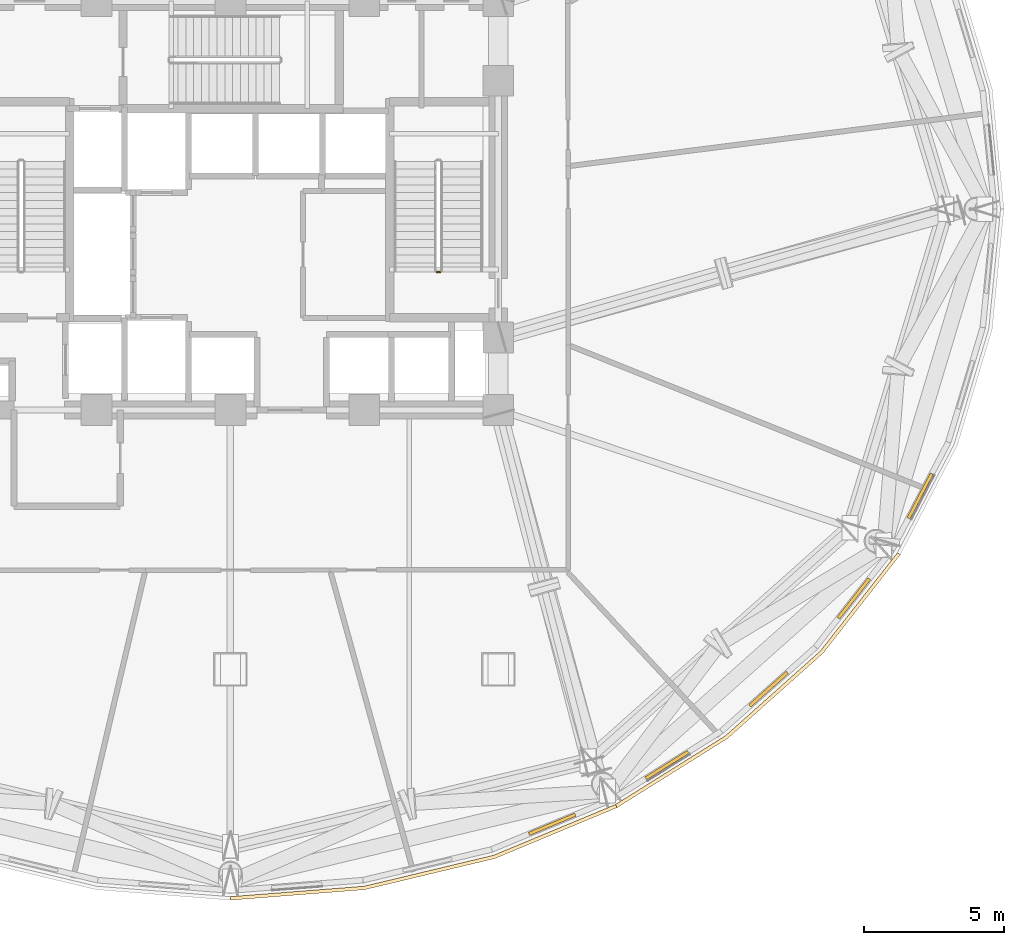
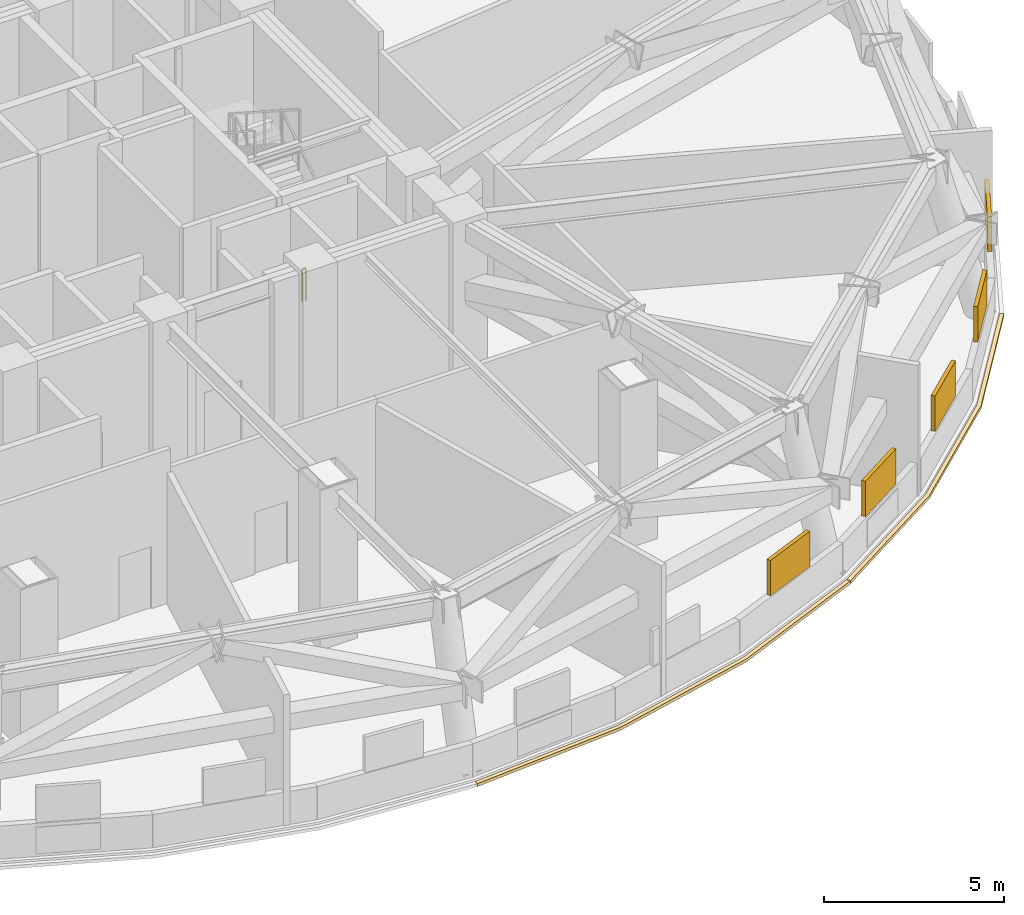
# One storey, part 12 of 14: 5 shading devices, 2 coverings, 1 railing.
"""IFC4 building model written with IfcOpenShell, lengths in metres."""

import ifcopenshell
import ifcopenshell.guid

model = None  # the IFC model being written
_history = None  # IfcOwnerHistory: only IFC2X3 demands one
_inside = {}  # id of a spatial element -> (the spatial element, [elements in it])
_under = {}  # id of a project, library or spatial element -> (it, [spatial elements below it])
_declared = {}  # id of a project -> (the project, [libraries it declares])
_typed = {}  # id of a type object -> (the type object, [elements of that type])
_made_of = {}  # id of a material, layer set ... -> (it, [elements and type objects made of it])


def new_model(schema):
    """Start an empty IFC model of exactly this schema.

    Asked for "IFC4X3", IfcOpenShell would pick the latest addendum, in which some entities
    have other attributes; the version numbers below select the first issue.
    IFC2X3 requires an IfcOwnerHistory on every rooted entity: one is made here for all.
    """
    global model, _history
    if schema == "IFC4X3":
        model = ifcopenshell.file(schema_version=(4, 3, 0, 0))
    else:
        model = ifcopenshell.file(schema=schema)
    _inside.clear()
    _under.clear()
    _declared.clear()
    _typed.clear()
    _made_of.clear()
    _history = None
    if model.schema == "IFC2X3":
        org = make("IfcOrganization", Name="unknown")
        user = make(
            "IfcPersonAndOrganization",
            ThePerson=make("IfcPerson", FamilyName="unknown"),
            TheOrganization=org,
        )
        app = make(
            "IfcApplication",
            ApplicationDeveloper=org,
            Version="unknown",
            ApplicationFullName="unknown",
            ApplicationIdentifier="unknown",
        )
        _history = make(
            "IfcOwnerHistory",
            OwningUser=user,
            OwningApplication=app,
            ChangeAction="ADDED",
            CreationDate=0,
        )
    return model


def make(cls, **values):
    """One entity of the class cls with the attributes given. An attribute that is None is left unset."""
    return model.create_entity(
        cls, **{name: value for name, value in values.items() if value is not None}
    )


def rooted(cls, **values):
    """An entity with a GlobalId (a new one), such as an element, a storey or a relation."""
    return make(cls, GlobalId=ifcopenshell.guid.new(), OwnerHistory=_history, **values)


def si_unit(unit_type, name, prefix=None):
    """IfcSIUnit, for example si_unit("LENGTHUNIT", "METRE", prefix="MILLI")."""
    return make("IfcSIUnit", UnitType=unit_type, Prefix=prefix, Name=name)


def assignment(units):
    """IfcUnitAssignment: the units of a project."""
    return None if units is None else make("IfcUnitAssignment", Units=units)


def point(xyz):
    """IfcCartesianPoint."""
    return None if xyz is None else make("IfcCartesianPoint", Coordinates=xyz)


def direction(xyz):
    """IfcDirection."""
    return None if xyz is None else make("IfcDirection", DirectionRatios=xyz)


def frame(location, z_axis=None, x_axis=None):
    """IfcAxis2Placement3D, a coordinate frame: its origin and axes. An axis left out is left unset."""
    return make(
        "IfcAxis2Placement3D",
        Location=point(location),
        Axis=direction(z_axis),
        RefDirection=direction(x_axis),
    )


def frame_2d(location, x_axis=None):
    """IfcAxis2Placement2D, a coordinate frame in the plane: its origin and x axis."""
    return make(
        "IfcAxis2Placement2D", Location=point(location), RefDirection=direction(x_axis)
    )


def origin():
    """The frame at (0, 0, 0) with its axes left unset."""
    return frame((0.0, 0.0, 0.0))


def origin_2d():
    """The frame at (0, 0) in the plane with its x axis left unset."""
    return frame_2d((0.0, 0.0))


def place(relative_to, where):
    """IfcLocalPlacement: puts the frame where relative to a parent placement (None: the world)."""
    return make(
        "IfcLocalPlacement", PlacementRelTo=relative_to, RelativePlacement=where
    )


def context(
    kind, dimensions, precision=None, world=None, true_north=None, identifier=None
):
    """IfcGeometricRepresentationContext, for example the 3D "Model" context."""
    return make(
        "IfcGeometricRepresentationContext",
        ContextIdentifier=identifier,
        ContextType=kind,
        CoordinateSpaceDimension=dimensions,
        Precision=precision,
        WorldCoordinateSystem=world,
        TrueNorth=true_north,
    )


def subcontext(parent, identifier, kind, view, scale=None):
    """IfcGeometricRepresentationSubContext, for example "Body" below "Model"."""
    return make(
        "IfcGeometricRepresentationSubContext",
        ContextIdentifier=identifier,
        ContextType=kind,
        ParentContext=parent,
        TargetScale=scale,
        TargetView=view,
    )


def project(units=None, contexts=None):
    """IfcProject with its units and contexts."""
    return rooted(
        "IfcProject",
        Name="project",
        RepresentationContexts=contexts,
        UnitsInContext=assignment(units),
    )


def spatial(cls, under=None, at=None, **own):
    """A site, building, storey or space (cls), placed at a placement, below another one or the project."""
    s = rooted(cls, ObjectPlacement=at, **own)
    if under is not None:
        _under.setdefault(under.id(), (under, []))[1].append(s)
    return s


def polyline(points):
    """IfcPolyline through the points."""
    return make("IfcPolyline", Points=[point(p) for p in points])


def profile(cls, at=None, kind="AREA", **sizes):
    """A parametric profile (cls). Its sizes go by their IFC names, for example OverallWidth=200.0."""
    return make(cls, ProfileType=kind, Position=at, **sizes)


def rectangle(**sizes):
    """IfcRectangleProfileDef."""
    return profile("IfcRectangleProfileDef", **sizes)


def outline(outer, holes=None, kind="AREA"):
    """IfcArbitraryClosedProfileDef: a profile drawn as a closed curve; with holes, ...WithVoids."""
    if holes is None:
        return make("IfcArbitraryClosedProfileDef", ProfileType=kind, OuterCurve=outer)
    return make(
        "IfcArbitraryProfileDefWithVoids",
        ProfileType=kind,
        OuterCurve=outer,
        InnerCurves=holes,
    )


def extrude(swept, where, along, depth):
    """IfcExtrudedAreaSolid: the profile swept, set in the frame where, extruded along a direction by depth."""
    return make(
        "IfcExtrudedAreaSolid",
        SweptArea=swept,
        Position=where,
        ExtrudedDirection=direction(along),
        Depth=depth,
    )


def shape(context_of_items, identifier, shape_type, items):
    """IfcShapeRepresentation: the items that make up one representation, for example the "Body"."""
    return make(
        "IfcShapeRepresentation",
        ContextOfItems=context_of_items,
        RepresentationIdentifier=identifier,
        RepresentationType=shape_type,
        Items=items,
    )


def material(Name=None, Category=None):
    """IfcMaterial."""
    return make("IfcMaterial", Name=Name, Category=Category)


def layer(
    of_material, thickness, ventilated=None, Name=None, Category=None, Priority=None
):
    """IfcMaterialLayer: one layer of a wall or slab, of a material (None: an air gap)."""
    return make(
        "IfcMaterialLayer",
        Material=of_material,
        LayerThickness=thickness,
        IsVentilated=ventilated,
        Name=Name,
        Category=Category,
        Priority=Priority,
    )


def layer_set(layers, Name=None):
    """IfcMaterialLayerSet."""
    return make("IfcMaterialLayerSet", MaterialLayers=layers, LayerSetName=Name)


def made_of(thing, what):
    """Note that an element or type object is made of a material, layer set ...; save() writes the relation."""
    if what is not None:
        _made_of.setdefault(what.id(), (what, []))[1].append(thing)
    return thing


def type_object(cls, material=None, **own):
    """A type object (cls), such as IfcWallType, which elements share."""
    return made_of(rooted(cls, **own), material)


def element(
    cls,
    number,
    at=None,
    inside=None,
    cuts=None,
    type_object=None,
    material=None,
    context=None,
    identifier="Body",
    shape_type=None,
    held_by="IfcProductDefinitionShape",
    body=None,
    shapes=None,
    **own,
):
    """One element of the class cls, such as IfcWall. Its Tag is "e" and its number.

    at: its placement. inside: the storey or other place that contains it. cuts: it is an
    opening in that element (IfcRelVoidsElement). A single representation is given by context,
    identifier, shape_type and body (its items); several are given by shapes. held_by: the class
    of the entity that holds the representations. save() writes the other relations.
    """
    e = rooted(cls, Tag="e%d" % number, ObjectPlacement=at, **own)
    if body is not None:
        shapes = [shape(context, identifier, shape_type, body)]
    if shapes is not None:
        e.Representation = make(held_by, Representations=shapes)
    if inside is not None:
        _inside.setdefault(inside.id(), (inside, []))[1].append(e)
    if cuts is not None:
        rooted(
            "IfcRelVoidsElement", RelatingBuildingElement=cuts, RelatedOpeningElement=e
        )
    if type_object is not None:
        _typed.setdefault(type_object.id(), (type_object, []))[1].append(e)
    return made_of(e, material)


def aggregate(whole, parts):
    """IfcRelAggregates: a whole, such as a stair, and the parts it consists of."""
    return rooted("IfcRelAggregates", RelatingObject=whole, RelatedObjects=parts)


def save(model, path):
    """Write the relations noted so far, then the file.

    IfcRelAggregates (storeys below a building ...), IfcRelContainedInSpatialStructure (elements
    in a storey), IfcRelDefinesByType, IfcRelAssociatesMaterial and IfcRelDeclares: one each for
    every whole, place, type object, material and project.
    """
    for whole, parts in _under.values():
        aggregate(whole, parts)
    for where, things in _inside.values():
        rooted(
            "IfcRelContainedInSpatialStructure",
            RelatedElements=things,
            RelatingStructure=where,
        )
    for kind, things in _typed.values():
        rooted("IfcRelDefinesByType", RelatedObjects=things, RelatingType=kind)
    for what, things in _made_of.values():
        rooted("IfcRelAssociatesMaterial", RelatedObjects=things, RelatingMaterial=what)
    for by, libraries in _declared.values():
        rooted("IfcRelDeclares", RelatingContext=by, RelatedDefinitions=libraries)
    model.write(path)


model = new_model("IFC4")

# Units and contexts
model_context = context("Model", 3, precision=1e-05, world=origin(), true_north=direction((0.0, 1.0)))
body_context = subcontext(model_context, "Body", "Model", "MODEL_VIEW")
ifc_project = project(units=[si_unit("LENGTHUNIT", "METRE"), si_unit("AREAUNIT", "SQUARE_METRE"), si_unit("VOLUMEUNIT", "CUBIC_METRE"), si_unit("PLANEANGLEUNIT", "RADIAN"), si_unit("MASSUNIT", "GRAM", prefix="KILO")], contexts=[model_context])

# Site, building, storey
site_placement = place(None, origin())
site = spatial("IfcSite", under=ifc_project, at=site_placement, CompositionType="ELEMENT")
building_placement = place(site_placement, origin())
building = spatial("IfcBuilding", under=site, at=building_placement, Name="Vantalir Tower", CompositionType="ELEMENT")
storey_placement = place(building_placement, frame((0.0, 0.0, 90.75)))
storey = spatial("IfcBuildingStorey", under=building, at=storey_placement, Name="L22", CompositionType="ELEMENT", Elevation=90.75)

# Coverings
ifc_material_1 = material(Name="Anodised champagne aluminium sill fascia", Category="aluminium")
ifc_layer_1 = layer(ifc_material_1, 0.125)
ifc_layer_set_1 = layer_set([ifc_layer_1], Name="Anodised champagne aluminium sill fascia")
covering_type = type_object("IfcCoveringType", Name="COV-SLAB-FASCIA-125", PredefinedType="CLADDING", material=ifc_layer_set_1)
covering_1_placement = place(storey_placement, frame((0.0, 0.0, -0.179931640625)))
element("IfcCovering", 1, at=covering_1_placement, inside=storey, type_object=covering_type, Name="L22 Perimeter Slab-Edge Sill Fascia 10", PredefinedType="CLADDING", context=body_context, shape_type="SweptSolid", body=[
    extrude(outline(polyline([(31.5, 0.23193359375), (36.31396484375, 0.60791015625), (40.98291015625, 1.72607421875), (45.363037109375, 3.550048828125), (45.300048828125, 3.658935546875), (40.93994140625, 1.843017578125), (36.29296875, 0.73095703125), (31.5, 0.35693359375), (31.5, 0.23193359375)])), origin(), (0.0, 0.0, 1.0), 0.10498046875),
])
covering_2_placement = place(storey_placement, frame((0.0, 0.0, -0.179931640625)))
element("IfcCovering", 2, at=covering_2_placement, inside=storey, type_object=covering_type, Name="L22 Perimeter Slab-Edge Sill Fascia 11", PredefinedType="CLADDING", context=body_context, shape_type="SweptSolid", body=[
    extrude(outline(polyline([(45.363037109375, 3.550048828125), (49.321044921875, 6.027099609375), (52.739013671875, 9.0791015625), (55.510986328125, 12.615966796875), (55.402099609375, 12.677978515625), (52.64306640625, 9.159912109375), (49.240966796875, 6.1220703125), (45.300048828125, 3.658935546875), (45.363037109375, 3.550048828125)])), origin(), (0.0, 0.0, 1.0), 0.10498046875),
])

# Railing
ifc_material_2 = material(Name="Anodised aluminium and stainless steel guard", Category="steel")
railing_type = type_object("IfcRailingType", Name="RAL-GUARD-1120", PredefinedType="GUARDRAIL", material=ifc_material_2)
railing_placement = place(storey_placement, frame((39.010009765625, 22.739990234375, 0.0)))
element("IfcRailing", 3, at=railing_placement, inside=storey, type_object=railing_type, Name="L22 ST2 stair guard 4", PredefinedType="GUARDRAIL", context=body_context, shape_type="SweptSolid", body=[
    extrude(rectangle(XDim=0.048095703125, YDim=0.048095703125, at=origin_2d()), frame((0.0, 0.0, 1.09619140625), z_axis=(-1.0, 0.0, 0.0), x_axis=(0.0, -1.0, 0.0)), (0.0, 0.0, 1.0), 0.1201171875),
    extrude(rectangle(XDim=0.0419921875, YDim=0.0419921875, at=origin_2d()), origin(), (0.0, 0.0, 1.0), 1.072021484375),
    extrude(rectangle(XDim=0.0419921875, YDim=0.0419921875, at=origin_2d()), frame((-0.1201171875, 0.0, 0.0)), (0.0, 0.0, 1.0), 1.072021484375),
])

# Shading devices
ifc_material_3 = material(Name="Champagne-silver PVDF aluminium storm louvre", Category="aluminium")
ifc_layer_2 = layer(ifc_material_3, 0.1201171875)
ifc_layer_set_2 = layer_set([ifc_layer_2], Name="Champagne-silver PVDF aluminium storm louvre")
shading_device_type = type_object("IfcShadingDeviceType", Name="SHD-STORM-LOUVRE", PredefinedType="JALOUSIE", material=ifc_layer_set_2)
for number, where, z_axis, x_axis, name in (
    (4, (43.028076171875, 2.949951171875, 1.1162109375), (0.0, 0.0, 1.0), (0.923310793754, 0.384053613623, 0.0), "L22 Acoustic Storm Louvre R30"),
    (5, (47.14501953125, 5.070068359375, 1.1162109375), (0.0, 0.0, 1.0), (0.848168309194, 0.529726834585, 0.0), "L22 Acoustic Storm Louvre R31"),
    (6, (50.787109375, 7.7958984375, 1.1162109375), (0.0, 0.0, 1.0), (0.746208439614, 0.665712373814, 0.0), "L22 Acoustic Storm Louvre R32"),
    (7, (53.843017578125, 11.0439453125, 1.1162109375), (0.0, 0.0, 1.0), (0.617571381834, 0.786514836694, 0.0), "L22 Acoustic Storm Louvre R33"),
    (8, (56.219970703125, 14.718017578125, 1.1162109375), (0.0, 0.0, 1.0), (0.463218697504, 0.886244006063, 0.0), "L22 Acoustic Storm Louvre R34"),
):
    element("IfcShadingDevice", number, at=place(storey_placement, frame(where, z_axis=z_axis, x_axis=x_axis)), inside=storey, type_object=shading_device_type, Name=name, PredefinedType="JALOUSIE", context=body_context, shape_type="SweptSolid", body=[
        extrude(rectangle(XDim=1.800048828125, YDim=0.1201171875, at=origin_2d()), origin(), (0.0, 0.0, 1.0), 1.199951171875),
    ])

save(model, "model.ifc")
